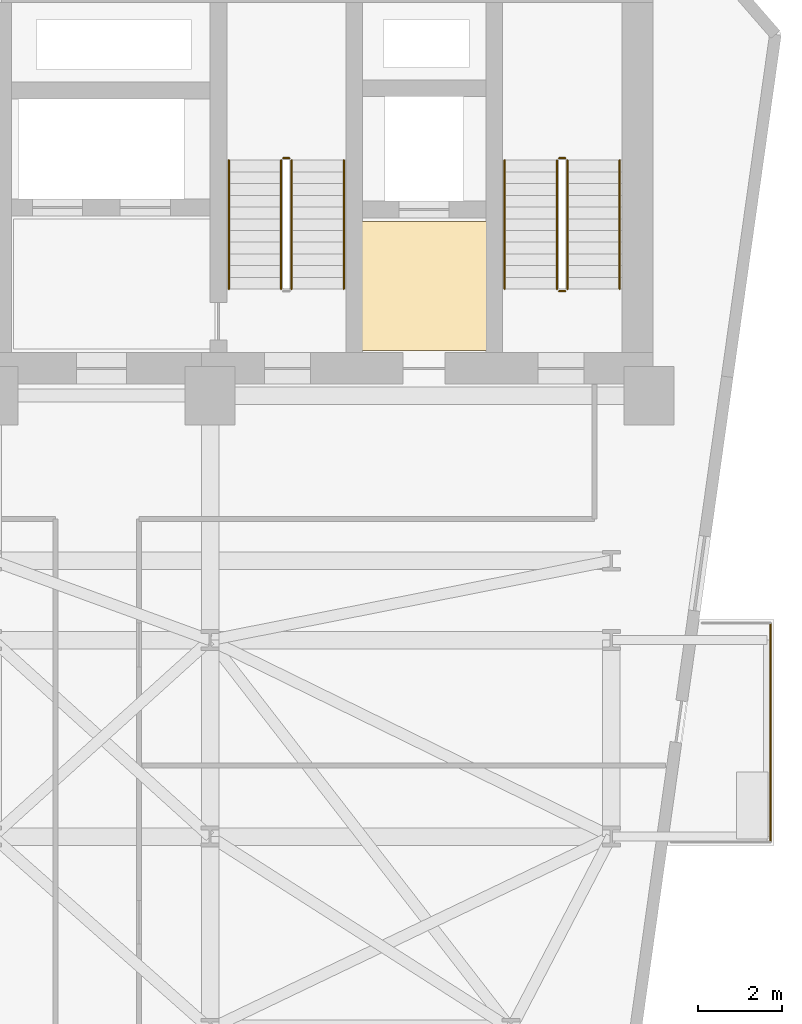
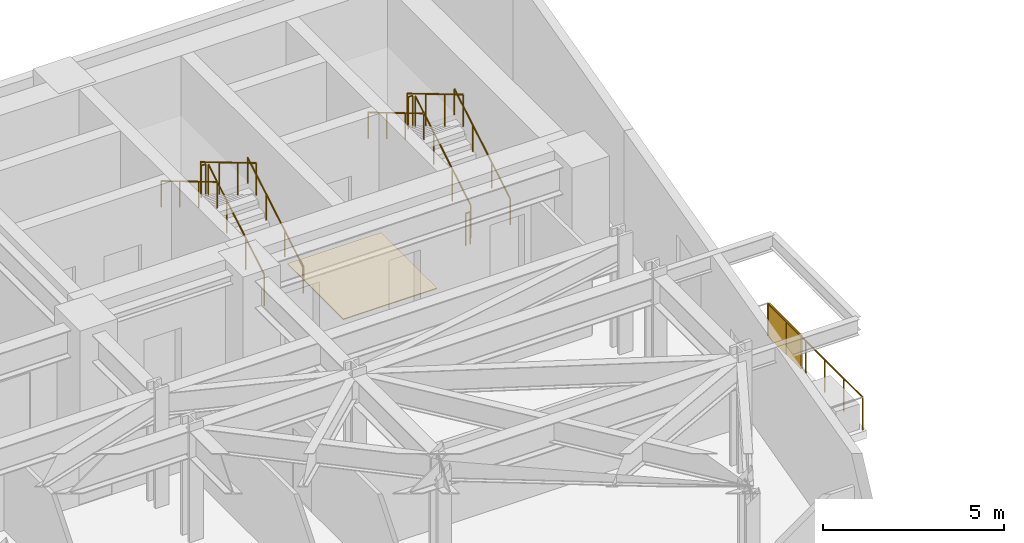
# One storey, part 25 of 25: 12 railings, 1 covering, 1 shading device.
"""IFC4 building model written with IfcOpenShell, lengths in metres."""

import ifcopenshell
import ifcopenshell.guid

model = None  # the IFC model being written
_history = None  # IfcOwnerHistory: only IFC2X3 demands one
_inside = {}  # id of a spatial element -> (the spatial element, [elements in it])
_under = {}  # id of a project, library or spatial element -> (it, [spatial elements below it])
_declared = {}  # id of a project -> (the project, [libraries it declares])
_typed = {}  # id of a type object -> (the type object, [elements of that type])
_made_of = {}  # id of a material, layer set ... -> (it, [elements and type objects made of it])


def new_model(schema):
    """Start an empty IFC model of exactly this schema.

    Asked for "IFC4X3", IfcOpenShell would pick the latest addendum, in which some entities
    have other attributes; the version numbers below select the first issue.
    IFC2X3 requires an IfcOwnerHistory on every rooted entity: one is made here for all.
    """
    global model, _history
    if schema == "IFC4X3":
        model = ifcopenshell.file(schema_version=(4, 3, 0, 0))
    else:
        model = ifcopenshell.file(schema=schema)
    _inside.clear()
    _under.clear()
    _declared.clear()
    _typed.clear()
    _made_of.clear()
    _history = None
    if model.schema == "IFC2X3":
        org = make("IfcOrganization", Name="unknown")
        user = make(
            "IfcPersonAndOrganization",
            ThePerson=make("IfcPerson", FamilyName="unknown"),
            TheOrganization=org,
        )
        app = make(
            "IfcApplication",
            ApplicationDeveloper=org,
            Version="unknown",
            ApplicationFullName="unknown",
            ApplicationIdentifier="unknown",
        )
        _history = make(
            "IfcOwnerHistory",
            OwningUser=user,
            OwningApplication=app,
            ChangeAction="ADDED",
            CreationDate=0,
        )
    return model


def make(cls, **values):
    """One entity of the class cls with the attributes given. An attribute that is None is left unset."""
    return model.create_entity(
        cls, **{name: value for name, value in values.items() if value is not None}
    )


def rooted(cls, **values):
    """An entity with a GlobalId (a new one), such as an element, a storey or a relation."""
    return make(cls, GlobalId=ifcopenshell.guid.new(), OwnerHistory=_history, **values)


def si_unit(unit_type, name, prefix=None):
    """IfcSIUnit, for example si_unit("LENGTHUNIT", "METRE", prefix="MILLI")."""
    return make("IfcSIUnit", UnitType=unit_type, Prefix=prefix, Name=name)


def assignment(units):
    """IfcUnitAssignment: the units of a project."""
    return None if units is None else make("IfcUnitAssignment", Units=units)


def point(xyz):
    """IfcCartesianPoint."""
    return None if xyz is None else make("IfcCartesianPoint", Coordinates=xyz)


def direction(xyz):
    """IfcDirection."""
    return None if xyz is None else make("IfcDirection", DirectionRatios=xyz)


def frame(location, z_axis=None, x_axis=None):
    """IfcAxis2Placement3D, a coordinate frame: its origin and axes. An axis left out is left unset."""
    return make(
        "IfcAxis2Placement3D",
        Location=point(location),
        Axis=direction(z_axis),
        RefDirection=direction(x_axis),
    )


def frame_2d(location, x_axis=None):
    """IfcAxis2Placement2D, a coordinate frame in the plane: its origin and x axis."""
    return make(
        "IfcAxis2Placement2D", Location=point(location), RefDirection=direction(x_axis)
    )


def origin():
    """The frame at (0, 0, 0) with its axes left unset."""
    return frame((0.0, 0.0, 0.0))


def origin_2d():
    """The frame at (0, 0) in the plane with its x axis left unset."""
    return frame_2d((0.0, 0.0))


def place(relative_to, where):
    """IfcLocalPlacement: puts the frame where relative to a parent placement (None: the world)."""
    return make(
        "IfcLocalPlacement", PlacementRelTo=relative_to, RelativePlacement=where
    )


def context(
    kind, dimensions, precision=None, world=None, true_north=None, identifier=None
):
    """IfcGeometricRepresentationContext, for example the 3D "Model" context."""
    return make(
        "IfcGeometricRepresentationContext",
        ContextIdentifier=identifier,
        ContextType=kind,
        CoordinateSpaceDimension=dimensions,
        Precision=precision,
        WorldCoordinateSystem=world,
        TrueNorth=true_north,
    )


def subcontext(parent, identifier, kind, view, scale=None):
    """IfcGeometricRepresentationSubContext, for example "Body" below "Model"."""
    return make(
        "IfcGeometricRepresentationSubContext",
        ContextIdentifier=identifier,
        ContextType=kind,
        ParentContext=parent,
        TargetScale=scale,
        TargetView=view,
    )


def project(units=None, contexts=None):
    """IfcProject with its units and contexts."""
    return rooted(
        "IfcProject",
        Name="project",
        RepresentationContexts=contexts,
        UnitsInContext=assignment(units),
    )


def spatial(cls, under=None, at=None, **own):
    """A site, building, storey or space (cls), placed at a placement, below another one or the project."""
    s = rooted(cls, ObjectPlacement=at, **own)
    if under is not None:
        _under.setdefault(under.id(), (under, []))[1].append(s)
    return s


def polyline(points):
    """IfcPolyline through the points."""
    return make("IfcPolyline", Points=[point(p) for p in points])


def profile(cls, at=None, kind="AREA", **sizes):
    """A parametric profile (cls). Its sizes go by their IFC names, for example OverallWidth=200.0."""
    return make(cls, ProfileType=kind, Position=at, **sizes)


def rectangle(**sizes):
    """IfcRectangleProfileDef."""
    return profile("IfcRectangleProfileDef", **sizes)


def circle(**sizes):
    """IfcCircleProfileDef."""
    return profile("IfcCircleProfileDef", **sizes)


def outline(outer, holes=None, kind="AREA"):
    """IfcArbitraryClosedProfileDef: a profile drawn as a closed curve; with holes, ...WithVoids."""
    if holes is None:
        return make("IfcArbitraryClosedProfileDef", ProfileType=kind, OuterCurve=outer)
    return make(
        "IfcArbitraryProfileDefWithVoids",
        ProfileType=kind,
        OuterCurve=outer,
        InnerCurves=holes,
    )


def extrude(swept, where, along, depth):
    """IfcExtrudedAreaSolid: the profile swept, set in the frame where, extruded along a direction by depth."""
    return make(
        "IfcExtrudedAreaSolid",
        SweptArea=swept,
        Position=where,
        ExtrudedDirection=direction(along),
        Depth=depth,
    )


def shape(context_of_items, identifier, shape_type, items):
    """IfcShapeRepresentation: the items that make up one representation, for example the "Body"."""
    return make(
        "IfcShapeRepresentation",
        ContextOfItems=context_of_items,
        RepresentationIdentifier=identifier,
        RepresentationType=shape_type,
        Items=items,
    )


def material(Name=None, Category=None):
    """IfcMaterial."""
    return make("IfcMaterial", Name=Name, Category=Category)


def layer(
    of_material, thickness, ventilated=None, Name=None, Category=None, Priority=None
):
    """IfcMaterialLayer: one layer of a wall or slab, of a material (None: an air gap)."""
    return make(
        "IfcMaterialLayer",
        Material=of_material,
        LayerThickness=thickness,
        IsVentilated=ventilated,
        Name=Name,
        Category=Category,
        Priority=Priority,
    )


def layer_set(layers, Name=None):
    """IfcMaterialLayerSet."""
    return make("IfcMaterialLayerSet", MaterialLayers=layers, LayerSetName=Name)


def made_of(thing, what):
    """Note that an element or type object is made of a material, layer set ...; save() writes the relation."""
    if what is not None:
        _made_of.setdefault(what.id(), (what, []))[1].append(thing)
    return thing


def type_object(cls, material=None, **own):
    """A type object (cls), such as IfcWallType, which elements share."""
    return made_of(rooted(cls, **own), material)


def element(
    cls,
    number,
    at=None,
    inside=None,
    cuts=None,
    type_object=None,
    material=None,
    context=None,
    identifier="Body",
    shape_type=None,
    held_by="IfcProductDefinitionShape",
    body=None,
    shapes=None,
    **own,
):
    """One element of the class cls, such as IfcWall. Its Tag is "e" and its number.

    at: its placement. inside: the storey or other place that contains it. cuts: it is an
    opening in that element (IfcRelVoidsElement). A single representation is given by context,
    identifier, shape_type and body (its items); several are given by shapes. held_by: the class
    of the entity that holds the representations. save() writes the other relations.
    """
    e = rooted(cls, Tag="e%d" % number, ObjectPlacement=at, **own)
    if body is not None:
        shapes = [shape(context, identifier, shape_type, body)]
    if shapes is not None:
        e.Representation = make(held_by, Representations=shapes)
    if inside is not None:
        _inside.setdefault(inside.id(), (inside, []))[1].append(e)
    if cuts is not None:
        rooted(
            "IfcRelVoidsElement", RelatingBuildingElement=cuts, RelatedOpeningElement=e
        )
    if type_object is not None:
        _typed.setdefault(type_object.id(), (type_object, []))[1].append(e)
    return made_of(e, material)


def aggregate(whole, parts):
    """IfcRelAggregates: a whole, such as a stair, and the parts it consists of."""
    return rooted("IfcRelAggregates", RelatingObject=whole, RelatedObjects=parts)


def save(model, path):
    """Write the relations noted so far, then the file.

    IfcRelAggregates (storeys below a building ...), IfcRelContainedInSpatialStructure (elements
    in a storey), IfcRelDefinesByType, IfcRelAssociatesMaterial and IfcRelDeclares: one each for
    every whole, place, type object, material and project.
    """
    for whole, parts in _under.values():
        aggregate(whole, parts)
    for where, things in _inside.values():
        rooted(
            "IfcRelContainedInSpatialStructure",
            RelatedElements=things,
            RelatingStructure=where,
        )
    for kind, things in _typed.values():
        rooted("IfcRelDefinesByType", RelatedObjects=things, RelatingType=kind)
    for what, things in _made_of.values():
        rooted("IfcRelAssociatesMaterial", RelatedObjects=things, RelatingMaterial=what)
    for by, libraries in _declared.values():
        rooted("IfcRelDeclares", RelatingContext=by, RelatedDefinitions=libraries)
    model.write(path)


model = new_model("IFC4")

# Units and contexts
model_context = context("Model", 3, precision=1e-05, world=origin(), true_north=direction((0.0, 1.0)))
body_context = subcontext(model_context, "Body", "Model", "MODEL_VIEW")
ifc_project = project(units=[si_unit("LENGTHUNIT", "METRE"), si_unit("AREAUNIT", "SQUARE_METRE"), si_unit("VOLUMEUNIT", "CUBIC_METRE"), si_unit("PLANEANGLEUNIT", "RADIAN"), si_unit("MASSUNIT", "GRAM", prefix="KILO")], contexts=[model_context])

# Site, building, storey
site_placement = place(None, origin())
site = spatial("IfcSite", under=ifc_project, at=site_placement, CompositionType="ELEMENT")
building_placement = place(site_placement, origin())
building = spatial("IfcBuilding", under=site, at=building_placement, Name="Kravanh Interchange Tower", CompositionType="ELEMENT")
storey_placement = place(building_placement, frame((0.0, 0.0, 73.5)))
storey = spatial("IfcBuildingStorey", under=building, at=storey_placement, Name="L17", CompositionType="ELEMENT", Elevation=73.5)

# Covering
ifc_material_1 = material(Name="Cementitious Terrazzo Tile")
ifc_layer_1 = layer(ifc_material_1, 0.030029296875)
ifc_layer_set_1 = layer_set([ifc_layer_1], Name="Honed Terrazzo Lobby Flooring 30mm")
covering_type = type_object("IfcCoveringType", Name="Honed Terrazzo Lobby Flooring 30mm", PredefinedType="FLOORING", material=ifc_layer_set_1)
covering_placement = place(storey_placement, origin())
element("IfcCovering", 1, at=covering_placement, inside=storey, type_object=covering_type, Name="L17 Service Lift Lobby Floor Finish", PredefinedType="FLOORING", context=body_context, shape_type="SweptSolid", body=[
    extrude(outline(polyline([(59.6298828125, 41.52001953125), (62.6201171875, 41.52001953125), (62.6201171875, 38.429931640625), (59.6298828125, 38.429931640625), (59.6298828125, 41.52001953125)])), origin(), (0.0, 0.0, 1.0), 0.030029296875),
])

# Shading device
ifc_material_2 = material(Name="Perforated Anodised Bronze Aluminium", Category="aluminium")
ifc_layer_2 = layer(ifc_material_2, 0.0400390625)
ifc_layer_set_2 = layer_set([ifc_layer_2], Name="Perforated Bronze Balcony Privacy Screen 1150mm")
shading_device_type = type_object("IfcShadingDeviceType", Name="Perforated Bronze Balcony Privacy Screen 1150mm", PredefinedType="USERDEFINED", material=ifc_layer_set_2)
shading_device_placement = place(storey_placement, frame((69.409912109375, 30.93994140625, 0.0), z_axis=(0.0, 0.0, 1.0), x_axis=(1.0, 0.0, 0.0)))
element("IfcShadingDevice", 2, at=shading_device_placement, inside=storey, type_object=shading_device_type, Name="L17 E Perforated Bronze BALCONY SCREEN", ObjectType="SCREEN", PredefinedType="USERDEFINED", context=body_context, shape_type="SweptSolid", body=[
    extrude(rectangle(XDim=0.0400390625, YDim=1.800048828125, at=origin_2d()), origin(), (0.0, 0.0, 1.0), 1.14990234375),
])

# Railings
ifc_material_3 = material(Name="Stainless Steel 316", Category="steel")
ifc_layer_3 = layer(ifc_material_3, 0.06005859375)
ifc_layer_set_3 = layer_set([ifc_layer_3], Name="Perimeter Balcony and Terrace Guardrail Stainless 316 1120mm")
railing_type_1 = type_object("IfcRailingType", Name="Perimeter Balcony and Terrace Guardrail Stainless 316 1120mm", PredefinedType="GUARDRAIL", material=ifc_layer_set_3)
railing_1_placement = place(storey_placement, frame((69.409912109375, 31.909912109375, 0.0)))
element("IfcRailing", 3, at=railing_1_placement, inside=storey, type_object=railing_type_1, Name="L17 E Balcony Guardrail 1", PredefinedType="GUARDRAIL", context=body_context, shape_type="SweptSolid", body=[
    extrude(circle(Radius=0.02392578125, at=origin_2d()), frame((0.0, 0.0, 1.09619140625), z_axis=(0.0, -1.0, 0.0), x_axis=(1.0, 0.0, 0.0)), (0.0, 0.0, 1.0), 5.239990234375),
    extrude(circle(Radius=0.02099609375, at=origin_2d()), origin(), (0.0, 0.0, 1.0), 1.072021484375),
    extrude(circle(Radius=0.02099609375, at=origin_2d()), frame((0.0, -1.048095703125, 0.0)), (0.0, 0.0, 1.0), 1.072021484375),
    extrude(circle(Radius=0.02099609375, at=origin_2d()), frame((0.0, -2.095947265625, 0.0)), (0.0, 0.0, 1.0), 1.072021484375),
    extrude(circle(Radius=0.02099609375, at=origin_2d()), frame((0.0, -3.14404296875, 0.0)), (0.0, 0.0, 1.0), 1.072021484375),
    extrude(circle(Radius=0.02099609375, at=origin_2d()), frame((0.0, -4.19189453125, 0.0)), (0.0, 0.0, 1.0), 1.072021484375),
    extrude(circle(Radius=0.02099609375, at=origin_2d()), frame((0.0, -5.239990234375, 0.0)), (0.0, 0.0, 1.0), 1.072021484375),
])
ifc_material_4 = material(Name="Structural Steel S355", Category="steel")
ifc_layer_4 = layer(ifc_material_4, 0.050048828125)
ifc_layer_set_4 = layer_set([ifc_layer_4], Name="Stair Well Guardrail Structural Steel S355 1100mm")
railing_type_2 = type_object("IfcRailingType", Name="Stair Well Guardrail Structural Steel S355 1100mm", PredefinedType="GUARDRAIL", material=ifc_layer_set_4)
railing_2_placement = place(storey_placement, frame((64.550048828125, 39.89990234375, 0.166748046875)))
element("IfcRailing", 4, at=railing_2_placement, inside=storey, type_object=railing_type_2, Name="L17 ST1 stair guard 1", PredefinedType="GUARDRAIL", context=body_context, shape_type="SweptSolid", body=[
    extrude(circle(Radius=0.02392578125, at=origin_2d()), frame((0.0, 0.0, 1.076171875), z_axis=(0.0, 0.859308565015, 0.511457515432), x_axis=(-1.0, 0.0, 0.0)), (0.0, 0.0, 1.0), 3.58447265625),
    extrude(circle(Radius=0.02099609375, at=origin_2d()), origin(), (0.0, 0.0, 1.0), 1.052001953125),
    extrude(circle(Radius=0.02099609375, at=origin_2d()), frame((0.0, 1.026611328125, 0.611083984375)), (0.0, 0.0, 1.0), 1.052001953125),
    extrude(circle(Radius=0.02099609375, at=origin_2d()), frame((0.0, 2.053466796875, 1.22216796875)), (0.0, 0.0, 1.0), 1.052001953125),
    extrude(circle(Radius=0.02099609375, at=origin_2d()), frame((0.0, 3.080078125, 1.833251953125)), (0.0, 0.0, 1.0), 1.052001953125),
])
railing_3_placement = place(storey_placement, frame((64.5, 43.030029296875, 2.0)))
element("IfcRailing", 5, at=railing_3_placement, inside=storey, type_object=railing_type_2, Name="L17 ST1 stair guard 2", PredefinedType="GUARDRAIL", context=body_context, shape_type="SweptSolid", body=[
    extrude(circle(Radius=0.02392578125, at=origin_2d()), frame((0.0, 0.0, 1.076171875), z_axis=(-1.0, 0.0, 0.0), x_axis=(0.0, -1.0, 0.0)), (0.0, 0.0, 1.0), 0.14990234375),
    extrude(circle(Radius=0.02099609375, at=origin_2d()), origin(), (0.0, 0.0, 1.0), 1.052001953125),
    extrude(circle(Radius=0.02099609375, at=origin_2d()), frame((-0.14990234375, 0.0, 0.0)), (0.0, 0.0, 1.0), 1.052001953125),
])
railing_4_placement = place(storey_placement, frame((64.300048828125, 42.97998046875, 2.166748046875)))
element("IfcRailing", 6, at=railing_4_placement, inside=storey, type_object=railing_type_2, Name="L17 ST1 stair guard 3", PredefinedType="GUARDRAIL", context=body_context, shape_type="SweptSolid", body=[
    extrude(circle(Radius=0.02392578125, at=origin_2d()), frame((0.0, 0.0, 1.076171875), z_axis=(0.0, -0.859308565015, 0.511457515432), x_axis=(1.0, 0.0, 0.0)), (0.0, 0.0, 1.0), 3.58447265625),
    extrude(circle(Radius=0.02099609375, at=origin_2d()), origin(), (0.0, 0.0, 1.0), 1.052001953125),
    extrude(circle(Radius=0.02099609375, at=origin_2d()), frame((0.0, -1.026611328125, 0.611083984375)), (0.0, 0.0, 1.0), 1.052001953125),
    extrude(circle(Radius=0.02099609375, at=origin_2d()), frame((0.0, -2.053466796875, 1.22216796875)), (0.0, 0.0, 1.0), 1.052001953125),
    extrude(circle(Radius=0.02099609375, at=origin_2d()), frame((0.0, -3.080078125, 1.833251953125)), (0.0, 0.0, 1.0), 1.052001953125),
])
railing_5_placement = place(storey_placement, frame((64.5, 39.85009765625, 0.0)))
element("IfcRailing", 7, at=railing_5_placement, inside=storey, type_object=railing_type_2, Name="L17 ST1 stair guard 4", PredefinedType="GUARDRAIL", context=body_context, shape_type="SweptSolid", body=[
    extrude(circle(Radius=0.02392578125, at=origin_2d()), frame((0.0, 0.0, 1.076171875), z_axis=(-1.0, 0.0, 0.0), x_axis=(0.0, -1.0, 0.0)), (0.0, 0.0, 1.0), 0.14990234375),
    extrude(circle(Radius=0.02099609375, at=origin_2d()), origin(), (0.0, 0.0, 1.0), 1.052001953125),
    extrude(circle(Radius=0.02099609375, at=origin_2d()), frame((-0.14990234375, 0.0, 0.0)), (0.0, 0.0, 1.0), 1.052001953125),
])
railing_6_placement = place(storey_placement, frame((57.949951171875, 39.89990234375, 0.166748046875)))
element("IfcRailing", 8, at=railing_6_placement, inside=storey, type_object=railing_type_2, Name="L17 ST2 stair guard 1", PredefinedType="GUARDRAIL", context=body_context, shape_type="SweptSolid", body=[
    extrude(circle(Radius=0.02392578125, at=origin_2d()), frame((0.0, 0.0, 1.076171875), z_axis=(0.0, 0.859308565015, 0.511457515432), x_axis=(-1.0, 0.0, 0.0)), (0.0, 0.0, 1.0), 3.58447265625),
    extrude(circle(Radius=0.02099609375, at=origin_2d()), origin(), (0.0, 0.0, 1.0), 1.052001953125),
    extrude(circle(Radius=0.02099609375, at=origin_2d()), frame((0.0, 1.026611328125, 0.611083984375)), (0.0, 0.0, 1.0), 1.052001953125),
    extrude(circle(Radius=0.02099609375, at=origin_2d()), frame((0.0, 2.053466796875, 1.22216796875)), (0.0, 0.0, 1.0), 1.052001953125),
    extrude(circle(Radius=0.02099609375, at=origin_2d()), frame((0.0, 3.080078125, 1.833251953125)), (0.0, 0.0, 1.0), 1.052001953125),
])
railing_7_placement = place(storey_placement, frame((57.89990234375, 43.030029296875, 2.0)))
element("IfcRailing", 9, at=railing_7_placement, inside=storey, type_object=railing_type_2, Name="L17 ST2 stair guard 2", PredefinedType="GUARDRAIL", context=body_context, shape_type="SweptSolid", body=[
    extrude(circle(Radius=0.02392578125, at=origin_2d()), frame((0.0, 0.0, 1.076171875), z_axis=(-1.0, 0.0, 0.0), x_axis=(0.0, -1.0, 0.0)), (0.0, 0.0, 1.0), 0.14990234375),
    extrude(circle(Radius=0.02099609375, at=origin_2d()), origin(), (0.0, 0.0, 1.0), 1.052001953125),
    extrude(circle(Radius=0.02099609375, at=origin_2d()), frame((-0.14990234375, 0.0, 0.0)), (0.0, 0.0, 1.0), 1.052001953125),
])
railing_8_placement = place(storey_placement, frame((57.699951171875, 42.97998046875, 2.166748046875)))
element("IfcRailing", 10, at=railing_8_placement, inside=storey, type_object=railing_type_2, Name="L17 ST2 stair guard 3", PredefinedType="GUARDRAIL", context=body_context, shape_type="SweptSolid", body=[
    extrude(circle(Radius=0.02392578125, at=origin_2d()), frame((0.0, 0.0, 1.076171875), z_axis=(0.0, -0.859308565015, 0.511457515432), x_axis=(1.0, 0.0, 0.0)), (0.0, 0.0, 1.0), 3.58447265625),
    extrude(circle(Radius=0.02099609375, at=origin_2d()), origin(), (0.0, 0.0, 1.0), 1.052001953125),
    extrude(circle(Radius=0.02099609375, at=origin_2d()), frame((0.0, -1.026611328125, 0.611083984375)), (0.0, 0.0, 1.0), 1.052001953125),
    extrude(circle(Radius=0.02099609375, at=origin_2d()), frame((0.0, -2.053466796875, 1.22216796875)), (0.0, 0.0, 1.0), 1.052001953125),
    extrude(circle(Radius=0.02099609375, at=origin_2d()), frame((0.0, -3.080078125, 1.833251953125)), (0.0, 0.0, 1.0), 1.052001953125),
])
ifc_material_5 = material(Name="Stainless Steel 304", Category="steel")
ifc_layer_5 = layer(ifc_material_5, 0.044921875)
ifc_layer_set_5 = layer_set([ifc_layer_5], Name="Tubular Stair Handrail Stainless 304 900mm")
railing_type_3 = type_object("IfcRailingType", Name="Tubular Stair Handrail Stainless 304 900mm", PredefinedType="HANDRAIL", material=ifc_layer_set_5)
railing_9_placement = place(storey_placement, frame((65.800048828125, 39.89990234375, 0.166748046875)))
element("IfcRailing", 11, at=railing_9_placement, inside=storey, type_object=railing_type_3, Name="L17 ST1 stair handrail 1", PredefinedType="HANDRAIL", context=body_context, shape_type="SweptSolid", body=[
    extrude(circle(Radius=0.02392578125, at=origin_2d()), frame((0.0, 0.0, 0.8759765625), z_axis=(0.0, 0.859308565015, 0.511457515432), x_axis=(-1.0, 0.0, 0.0)), (0.0, 0.0, 1.0), 3.58447265625),
    extrude(circle(Radius=0.02099609375, at=origin_2d()), origin(), (0.0, 0.0, 1.0), 0.851806640625),
    extrude(circle(Radius=0.02099609375, at=origin_2d()), frame((0.0, 1.026611328125, 0.611083984375)), (0.0, 0.0, 1.0), 0.851806640625),
    extrude(circle(Radius=0.02099609375, at=origin_2d()), frame((0.0, 2.053466796875, 1.22216796875)), (0.0, 0.0, 1.0), 0.851806640625),
    extrude(circle(Radius=0.02099609375, at=origin_2d()), frame((0.0, 3.080078125, 1.833251953125)), (0.0, 0.0, 1.0), 0.851806640625),
])
railing_10_placement = place(storey_placement, frame((63.050048828125, 42.97998046875, 2.166748046875)))
element("IfcRailing", 12, at=railing_10_placement, inside=storey, type_object=railing_type_3, Name="L17 ST1 stair handrail 2", PredefinedType="HANDRAIL", context=body_context, shape_type="SweptSolid", body=[
    extrude(circle(Radius=0.02392578125, at=origin_2d()), frame((0.0, 0.0, 0.8759765625), z_axis=(0.0, -0.859308565015, 0.511457515432), x_axis=(1.0, 0.0, 0.0)), (0.0, 0.0, 1.0), 3.58447265625),
    extrude(circle(Radius=0.02099609375, at=origin_2d()), origin(), (0.0, 0.0, 1.0), 0.851806640625),
    extrude(circle(Radius=0.02099609375, at=origin_2d()), frame((0.0, -1.026611328125, 0.611083984375)), (0.0, 0.0, 1.0), 0.851806640625),
    extrude(circle(Radius=0.02099609375, at=origin_2d()), frame((0.0, -2.053466796875, 1.22216796875)), (0.0, 0.0, 1.0), 0.851806640625),
    extrude(circle(Radius=0.02099609375, at=origin_2d()), frame((0.0, -3.080078125, 1.833251953125)), (0.0, 0.0, 1.0), 0.851806640625),
])
railing_11_placement = place(storey_placement, frame((59.199951171875, 39.89990234375, 0.166748046875)))
element("IfcRailing", 13, at=railing_11_placement, inside=storey, type_object=railing_type_3, Name="L17 ST2 stair handrail 1", PredefinedType="HANDRAIL", context=body_context, shape_type="SweptSolid", body=[
    extrude(circle(Radius=0.02392578125, at=origin_2d()), frame((0.0, 0.0, 0.8759765625), z_axis=(0.0, 0.859308565015, 0.511457515432), x_axis=(-1.0, 0.0, 0.0)), (0.0, 0.0, 1.0), 3.58447265625),
    extrude(circle(Radius=0.02099609375, at=origin_2d()), origin(), (0.0, 0.0, 1.0), 0.851806640625),
    extrude(circle(Radius=0.02099609375, at=origin_2d()), frame((0.0, 1.026611328125, 0.611083984375)), (0.0, 0.0, 1.0), 0.851806640625),
    extrude(circle(Radius=0.02099609375, at=origin_2d()), frame((0.0, 2.053466796875, 1.22216796875)), (0.0, 0.0, 1.0), 0.851806640625),
    extrude(circle(Radius=0.02099609375, at=origin_2d()), frame((0.0, 3.080078125, 1.833251953125)), (0.0, 0.0, 1.0), 0.851806640625),
])
railing_12_placement = place(storey_placement, frame((56.449951171875, 42.97998046875, 2.166748046875)))
element("IfcRailing", 14, at=railing_12_placement, inside=storey, type_object=railing_type_3, Name="L17 ST2 stair handrail 2", PredefinedType="HANDRAIL", context=body_context, shape_type="SweptSolid", body=[
    extrude(circle(Radius=0.02392578125, at=origin_2d()), frame((0.0, 0.0, 0.8759765625), z_axis=(0.0, -0.859308565015, 0.511457515432), x_axis=(1.0, 0.0, 0.0)), (0.0, 0.0, 1.0), 3.58447265625),
    extrude(circle(Radius=0.02099609375, at=origin_2d()), origin(), (0.0, 0.0, 1.0), 0.851806640625),
    extrude(circle(Radius=0.02099609375, at=origin_2d()), frame((0.0, -1.026611328125, 0.611083984375)), (0.0, 0.0, 1.0), 0.851806640625),
    extrude(circle(Radius=0.02099609375, at=origin_2d()), frame((0.0, -2.053466796875, 1.22216796875)), (0.0, 0.0, 1.0), 0.851806640625),
    extrude(circle(Radius=0.02099609375, at=origin_2d()), frame((0.0, -3.080078125, 1.833251953125)), (0.0, 0.0, 1.0), 0.851806640625),
])

save(model, "model.ifc")
